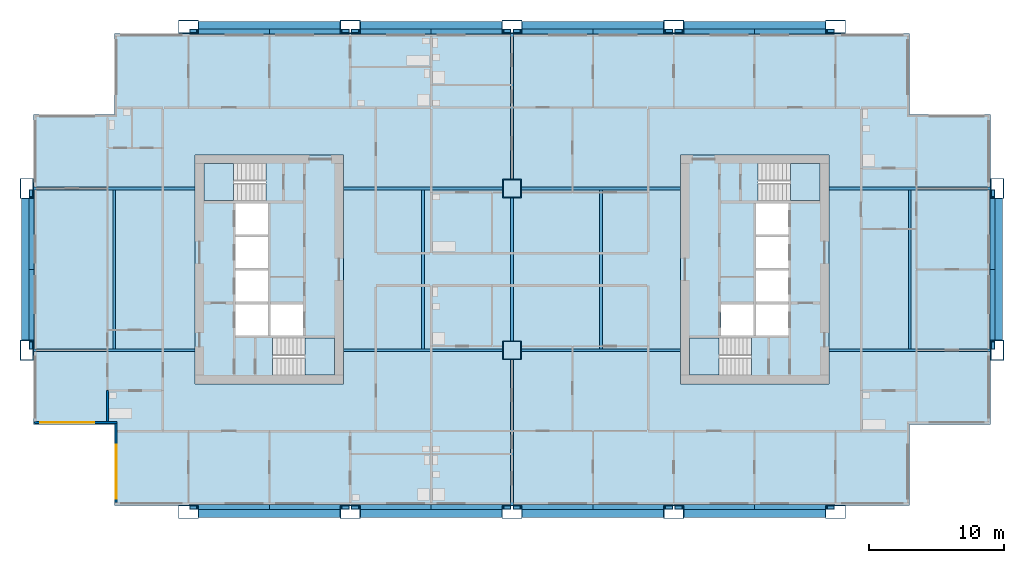
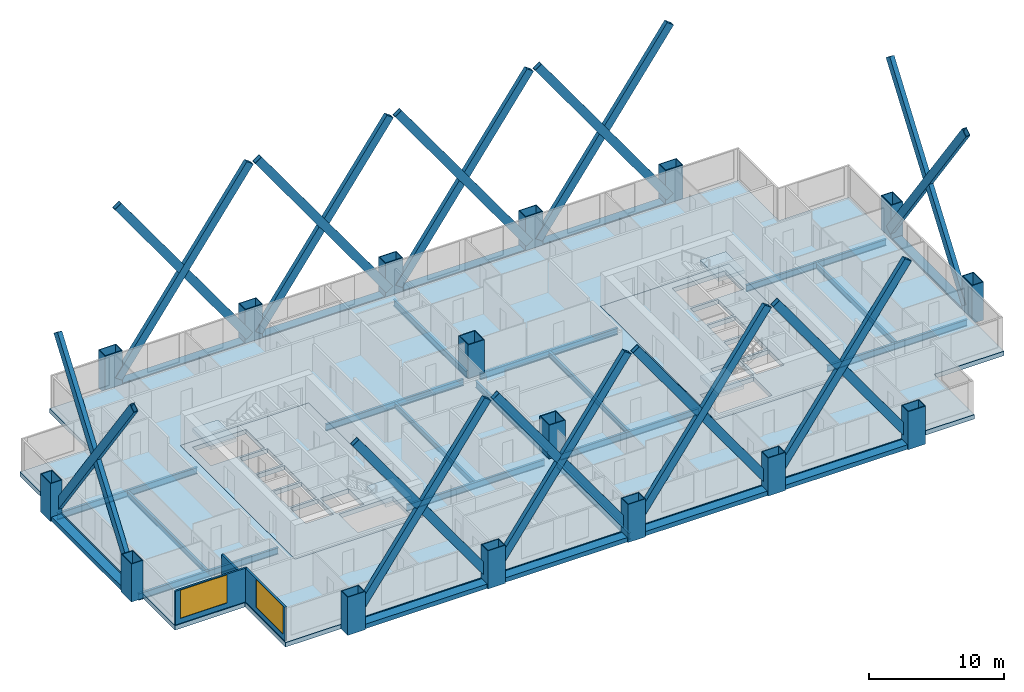
# One storey, part 1 of 11: 25 beams, 20 members, 16 columns, 7 slabs, 3 walls, 2 windows, 2 openings, 4 elements without a shape of their own.
"""IFC4 building model written with IfcOpenShell, lengths in metres."""

from ifc_helpers import new_model, si_unit, direction, frame, frame_2d, origin, origin_2d, place, context, subcontext, project, spatial, polyline, rectangle, hollow_rectangle, i_section, outline, extrude, material, layer, layer_set, material_profile, profile_set, type_object, element, fill, aggregate, save


model = new_model("IFC4")

# Units and contexts
model_context = context("Model", 3, precision=1e-05, world=origin(), true_north=direction((0.0, 1.0)))
body_context = subcontext(model_context, "Body", "Model", "MODEL_VIEW")
ifc_project = project(units=[si_unit("LENGTHUNIT", "METRE"), si_unit("AREAUNIT", "SQUARE_METRE"), si_unit("VOLUMEUNIT", "CUBIC_METRE"), si_unit("PLANEANGLEUNIT", "RADIAN"), si_unit("MASSUNIT", "GRAM", prefix="KILO")], contexts=[model_context])

# Site, building, storey
site_placement = place(None, origin())
site = spatial("IfcSite", under=ifc_project, at=site_placement, CompositionType="ELEMENT")
building_placement = place(site_placement, origin())
building = spatial("IfcBuilding", under=site, at=building_placement, Name="Kitamizu Gate Tower and Museum", CompositionType="ELEMENT")
storey_placement = place(building_placement, frame((0.0, 0.0, 113.85009765625)))
storey = spatial("IfcBuildingStorey", under=building, at=storey_placement, Name="L29", CompositionType="ELEMENT", Elevation=113.85009765625)

# Columns
ifc_material_1 = material(Name="Steel SM490A bronze coated", Category="steel")
ifc_material_profile_1 = material_profile(ifc_material_1, hollow_rectangle(XDim=1.5, YDim=1.0, WallThickness=0.06005859375, at=origin_2d()), Name="BOX 1500x1000x60")
ifc_profile_set_1 = profile_set([ifc_material_profile_1], Name="Steel SM490A bronze coated")
column_type_1 = type_object("IfcColumnType", Name="Exoskeleton column XC4 BOX 1500x1000x60", PredefinedType="COLUMN", material=ifc_profile_set_1)
for number, where, z_axis, x_axis, name in (
    (1, (0.0, 24.0, -0.400146484375), (0.0, 0.0, 1.0), (0.0, 1.0, 0.0), "Column XC4 1C L29"),
    (2, (0.0, 36.0, -0.400146484375), (0.0, 0.0, 1.0), (0.0, 1.0, 0.0), "Column XC4 1D L29"),
    (3, (12.0, 12.0, -0.400146484375), (0.0, 0.0, 1.0), (1.0, 0.0, 0.0), "Column XC4 2B L29"),
    (4, (12.0, 48.0, -0.400146484375), (0.0, 0.0, 1.0), (1.0, 0.0, 0.0), "Column XC4 2E L29"),
    (5, (24.0, 12.0, -0.400146484375), (0.0, 0.0, 1.0), (1.0, 0.0, 0.0), "Column XC4 3B L29"),
    (6, (24.0, 48.0, -0.400146484375), (0.0, 0.0, 1.0), (1.0, 0.0, 0.0), "Column XC4 3E L29"),
    (7, (36.0, 12.0, -0.400146484375), (0.0, 0.0, 1.0), (1.0, 0.0, 0.0), "Column XC4 4B L29"),
    (8, (36.0, 48.0, -0.400146484375), (0.0, 0.0, 1.0), (1.0, 0.0, 0.0), "Column XC4 4E L29"),
    (9, (48.0, 12.0, -0.400146484375), (0.0, 0.0, 1.0), (1.0, 0.0, 0.0), "Column XC4 5B L29"),
    (10, (48.0, 48.0, -0.400146484375), (0.0, 0.0, 1.0), (1.0, 0.0, 0.0), "Column XC4 5E L29"),
    (11, (60.0, 12.0, -0.400146484375), (0.0, 0.0, 1.0), (1.0, 0.0, 0.0), "Column XC4 6B L29"),
    (12, (60.0, 48.0, -0.400146484375), (0.0, 0.0, 1.0), (1.0, 0.0, 0.0), "Column XC4 6E L29"),
    (13, (72.0, 24.0, -0.400146484375), (0.0, 0.0, 1.0), (0.0, 1.0, 0.0), "Column XC4 7C L29"),
    (14, (72.0, 36.0, -0.400146484375), (0.0, 0.0, 1.0), (0.0, 1.0, 0.0), "Column XC4 7D L29"),
):
    element("IfcColumn", number, at=place(storey_placement, frame(where, z_axis=z_axis, x_axis=x_axis)), inside=storey, type_object=column_type_1, Name=name, PredefinedType="COLUMN", context=body_context, shape_type="SweptSolid", body=[
        extrude(hollow_rectangle(XDim=1.5, YDim=1.0, WallThickness=0.06005859375, at=origin_2d()), origin(), (0.0, 0.0, 1.0), 3.449951171875),
    ])
ifc_material_2 = material(Name="Steel SM490A", Category="steel")
ifc_material_profile_2 = material_profile(ifc_material_2, hollow_rectangle(XDim=1.39990234375, YDim=1.39990234375, WallThickness=0.06005859375, at=origin_2d()), Name="BOX 1400x1400x60")
ifc_profile_set_2 = profile_set([ifc_material_profile_2], Name="Steel SM490A")
column_type_2 = type_object("IfcColumnType", Name="Interior column IC3 BOX 1400x1400x60", PredefinedType="COLUMN", material=ifc_profile_set_2)
for number, where, z_axis, x_axis, name in (
    (15, (36.0, 24.0, 0.0), (0.0, 0.0, 1.0), (1.0, 0.0, 0.0), "Column IC3 4C L29"),
    (16, (36.0, 36.0, 0.0), (0.0, 0.0, 1.0), (1.0, 0.0, 0.0), "Column IC3 4D L29"),
):
    element("IfcColumn", number, at=place(storey_placement, frame(where, z_axis=z_axis, x_axis=x_axis)), inside=storey, type_object=column_type_2, Name=name, PredefinedType="COLUMN", context=body_context, shape_type="SweptSolid", body=[
        extrude(hollow_rectangle(XDim=1.39990234375, YDim=1.39990234375, WallThickness=0.06005859375, at=origin_2d()), origin(), (0.0, 0.0, 1.0), 3.0498046875),
    ])

# Members
ifc_material_3 = material(Name="Steel SM490A bronze coated", Category="steel")
ifc_material_profile_3 = material_profile(ifc_material_3, hollow_rectangle(XDim=0.3798828125, YDim=0.699951171875, WallThickness=0.035888671875, at=origin_2d()), Name="BOX 380x700x36")
ifc_profile_set_3 = profile_set([ifc_material_profile_3], Name="Steel SM490A bronze coated")
member_type = type_object("IfcMemberType", Name="Exoskeleton brace XB5 BOX 380x700x36", PredefinedType="BRACE", material=ifc_profile_set_3)
for number, where, z_axis, x_axis, name in (
    (17, (12.39990234375, 12.360107421875, 0.599853515625), (0.583685898597, 0.0, 0.811979539015), (0.0, 1.0, 0.0), "Exoskeleton brace XB5 south 12 L29"),
    (18, (23.60009765625, 12.360107421875, 0.599853515625), (-0.583685898597, 0.0, 0.811979539015), (0.0, -1.0, 0.0), "Exoskeleton brace XB5 south 12 L29"),
    (19, (24.39990234375, 12.360107421875, 0.599853515625), (0.583685898597, 0.0, 0.811979539015), (0.0, 1.0, 0.0), "Exoskeleton brace XB5 south 24 L29"),
    (20, (35.60009765625, 12.360107421875, 0.599853515625), (-0.583685898597, 0.0, 0.811979539015), (0.0, -1.0, 0.0), "Exoskeleton brace XB5 south 24 L29"),
    (21, (36.39990234375, 12.360107421875, 0.599853515625), (0.583685898597, 0.0, 0.811979539015), (0.0, 1.0, 0.0), "Exoskeleton brace XB5 south 36 L29"),
    (22, (47.60009765625, 12.360107421875, 0.599853515625), (-0.583685898597, 0.0, 0.811979539015), (0.0, -1.0, 0.0), "Exoskeleton brace XB5 south 36 L29"),
    (23, (48.39990234375, 12.360107421875, 0.599853515625), (0.583685898597, 0.0, 0.811979539015), (0.0, 1.0, 0.0), "Exoskeleton brace XB5 south 48 L29"),
    (24, (59.60009765625, 12.360107421875, 0.599853515625), (-0.583685898597, 0.0, 0.811979539015), (0.0, -1.0, 0.0), "Exoskeleton brace XB5 south 48 L29"),
    (25, (12.39990234375, 47.639892578125, 0.599853515625), (0.583685898597, 0.0, 0.811979539015), (0.0, 1.0, 0.0), "Exoskeleton brace XB5 north 12 L29"),
    (26, (23.60009765625, 47.639892578125, 0.599853515625), (-0.583685898597, 0.0, 0.811979539015), (0.0, -1.0, 0.0), "Exoskeleton brace XB5 north 12 L29"),
    (27, (24.39990234375, 47.639892578125, 0.599853515625), (0.583685898597, 0.0, 0.811979539015), (0.0, 1.0, 0.0), "Exoskeleton brace XB5 north 24 L29"),
    (28, (35.60009765625, 47.639892578125, 0.599853515625), (-0.583685898597, 0.0, 0.811979539015), (0.0, -1.0, 0.0), "Exoskeleton brace XB5 north 24 L29"),
    (29, (36.39990234375, 47.639892578125, 0.599853515625), (0.583685898597, 0.0, 0.811979539015), (0.0, 1.0, 0.0), "Exoskeleton brace XB5 north 36 L29"),
    (30, (47.60009765625, 47.639892578125, 0.599853515625), (-0.583685898597, 0.0, 0.811979539015), (0.0, -1.0, 0.0), "Exoskeleton brace XB5 north 36 L29"),
    (31, (48.39990234375, 47.639892578125, 0.599853515625), (0.583685898597, 0.0, 0.811979539015), (0.0, 1.0, 0.0), "Exoskeleton brace XB5 north 48 L29"),
    (32, (59.60009765625, 47.639892578125, 0.599853515625), (-0.583685898597, 0.0, 0.811979539015), (0.0, -1.0, 0.0), "Exoskeleton brace XB5 north 48 L29"),
    (33, (0.360107421875, 24.39990234375, 0.599853515625), (0.0, 0.583685898597, 0.811979539015), (-1.0, 0.0, 0.0), "Exoskeleton brace XB5 west 24 L29"),
    (34, (0.360107421875, 35.60009765625, 0.599853515625), (0.0, -0.583685898597, 0.811979539015), (1.0, 0.0, 0.0), "Exoskeleton brace XB5 west 24 L29"),
    (35, (71.639892578125, 24.39990234375, 0.599853515625), (0.0, 0.583685898597, 0.811979539015), (-1.0, 0.0, 0.0), "Exoskeleton brace XB5 east 24 L29"),
    (36, (71.639892578125, 35.60009765625, 0.599853515625), (0.0, -0.583685898597, 0.811979539015), (1.0, 0.0, 0.0), "Exoskeleton brace XB5 east 24 L29"),
):
    element("IfcMember", number, at=place(storey_placement, frame(where, z_axis=z_axis, x_axis=x_axis)), inside=storey, type_object=member_type, Name=name, PredefinedType="BRACE", context=body_context, shape_type="SweptSolid", body=[
        extrude(hollow_rectangle(XDim=0.3798828125, YDim=0.699951171875, WallThickness=0.035888671875, at=origin_2d()), origin(), (0.0, 0.0, 1.0), 19.274169921875),
    ])

# Beams
ifc_material_4 = material(Name="Steel SM490A bronze coated", Category="steel")
ifc_material_profile_4 = material_profile(ifc_material_4, hollow_rectangle(XDim=0.800048828125, YDim=0.39990234375, WallThickness=0.0400390625, at=origin_2d()), Name="BOX 800x400x40")
ifc_profile_set_4 = profile_set([ifc_material_profile_4], Name="Steel SM490A bronze coated")
beam_type_1 = type_object("IfcBeamType", Name="Exoskeleton spandrel beam SB1 BOX 800x400x40", PredefinedType="SPANDREL", material=ifc_profile_set_4)
for number, where, z_axis, x_axis, name in (
    (37, (12.75, 12.0, -0.2001953125), (1.0, 0.0, 0.0), (0.0, 1.0, 0.0), "Exoskeleton spandrel beam south 12 L29"),
    (38, (24.75, 12.0, -0.2001953125), (1.0, 0.0, 0.0), (0.0, 1.0, 0.0), "Exoskeleton spandrel beam south 24 L29"),
    (39, (36.75, 12.0, -0.2001953125), (1.0, 0.0, 0.0), (0.0, 1.0, 0.0), "Exoskeleton spandrel beam south 36 L29"),
    (40, (48.75, 12.0, -0.2001953125), (1.0, 0.0, 0.0), (0.0, 1.0, 0.0), "Exoskeleton spandrel beam south 48 L29"),
    (41, (12.75, 48.0, -0.2001953125), (1.0, 0.0, 0.0), (0.0, 1.0, 0.0), "Exoskeleton spandrel beam north 12 L29"),
    (42, (24.75, 48.0, -0.2001953125), (1.0, 0.0, 0.0), (0.0, 1.0, 0.0), "Exoskeleton spandrel beam north 24 L29"),
    (43, (36.75, 48.0, -0.2001953125), (1.0, 0.0, 0.0), (0.0, 1.0, 0.0), "Exoskeleton spandrel beam north 36 L29"),
    (44, (48.75, 48.0, -0.2001953125), (1.0, 0.0, 0.0), (0.0, 1.0, 0.0), "Exoskeleton spandrel beam north 48 L29"),
    (45, (0.0, 24.75, -0.2001953125), (0.0, 1.0, 0.0), (-1.0, 0.0, 0.0), "Exoskeleton spandrel beam west 24 L29"),
    (46, (72.0, 24.75, -0.2001953125), (0.0, 1.0, 0.0), (-1.0, 0.0, 0.0), "Exoskeleton spandrel beam east 24 L29"),
):
    element("IfcBeam", number, at=place(storey_placement, frame(where, z_axis=z_axis, x_axis=x_axis)), inside=storey, type_object=beam_type_1, Name=name, PredefinedType="SPANDREL", context=body_context, shape_type="SweptSolid", body=[
        extrude(hollow_rectangle(XDim=0.800048828125, YDim=0.39990234375, WallThickness=0.0400390625, at=origin_2d()), origin(), (0.0, 0.0, 1.0), 10.5),
    ])
ifc_material_5 = material(Name="Steel SM490A", Category="steel")
ifc_material_profile_5 = material_profile(ifc_material_5, i_section(OverallWidth=0.199951171875, OverallDepth=0.5, WebThickness=0.010009765625, FlangeThickness=0.01611328125, FilletRadius=0.02001953125, at=origin_2d()), Name="H-500x200x10x16")
ifc_profile_set_5 = profile_set([ifc_material_profile_5], Name="Steel SM490A")
beam_type_2 = type_object("IfcBeamType", Name="Floor beam FB1 H 500x200x10x16", PredefinedType="BEAM", material=ifc_profile_set_5)
for number, where, z_axis, x_axis, name in (
    (47, (6.5, 24.10009765625, -0.650146484375), (0.0, 1.0, 0.0), (-1.0, 0.0, 0.0), "Floor beam FB1 L29-1"),
    (48, (29.39990234375, 24.10009765625, -0.650146484375), (0.0, 1.0, 0.0), (-1.0, 0.0, 0.0), "Floor beam FB1 L29-2"),
    (49, (42.60009765625, 24.10009765625, -0.650146484375), (0.0, 1.0, 0.0), (-1.0, 0.0, 0.0), "Floor beam FB1 L29-3"),
    (50, (65.5, 24.10009765625, -0.650146484375), (0.0, 1.0, 0.0), (-1.0, 0.0, 0.0), "Floor beam FB1 L29-4"),
):
    element("IfcBeam", number, at=place(storey_placement, frame(where, z_axis=z_axis, x_axis=x_axis)), inside=storey, type_object=beam_type_2, Name=name, PredefinedType="BEAM", context=body_context, shape_type="SweptSolid", body=[
        extrude(i_section(OverallWidth=0.199951171875, OverallDepth=0.5, WebThickness=0.010009765625, FlangeThickness=0.01611328125, FilletRadius=0.02001953125, at=origin_2d()), origin(), (0.0, 0.0, 1.0), 11.7998046875),
    ])
ifc_material_6 = material(Name="Steel SM490A", Category="steel")
ifc_material_profile_6 = material_profile(ifc_material_6, i_section(OverallWidth=0.199951171875, OverallDepth=0.60009765625, WebThickness=0.010986328125, FlangeThickness=0.01708984375, FilletRadius=0.02197265625, at=origin_2d()), Name="H-600x200x11x17")
ifc_profile_set_6 = profile_set([ifc_material_profile_6], Name="Steel SM490A")
beam_type_3 = type_object("IfcBeamType", Name="Floor girder FG1 H 600x200x11x17", PredefinedType="BEAM", material=ifc_profile_set_6)
beam_1_placement = place(storey_placement, frame((36.0, 12.5, -0.7001953125), z_axis=(0.0, 1.0, 0.0), x_axis=(-1.0, 0.0, 0.0)))
element("IfcBeam", 51, at=beam_1_placement, inside=storey, type_object=beam_type_3, Name="Floor girder FG1 x36 L29", PredefinedType="BEAM", context=body_context, shape_type="SweptSolid", body=[
    extrude(i_section(OverallWidth=0.199951171875, OverallDepth=0.60009765625, WebThickness=0.010986328125, FlangeThickness=0.01708984375, FilletRadius=0.02197265625, at=origin_2d()), origin(), (0.0, 0.0, 1.0), 10.800048828125),
])
beam_2_placement = place(storey_placement, frame((36.0, 24.699951171875, -0.7001953125), z_axis=(0.0, 1.0, 0.0), x_axis=(-1.0, 0.0, 0.0)))
element("IfcBeam", 52, at=beam_2_placement, inside=storey, type_object=beam_type_3, Name="Floor girder FG1 x36 L29", PredefinedType="BEAM", context=body_context, shape_type="SweptSolid", body=[
    extrude(i_section(OverallWidth=0.199951171875, OverallDepth=0.60009765625, WebThickness=0.010986328125, FlangeThickness=0.01708984375, FilletRadius=0.02197265625, at=origin_2d()), origin(), (0.0, 0.0, 1.0), 10.60009765625),
])
beam_3_placement = place(storey_placement, frame((36.0, 36.699951171875, -0.7001953125), z_axis=(0.0, 1.0, 0.0), x_axis=(-1.0, 0.0, 0.0)))
element("IfcBeam", 53, at=beam_3_placement, inside=storey, type_object=beam_type_3, Name="Floor girder FG1 x36 L29", PredefinedType="BEAM", context=body_context, shape_type="SweptSolid", body=[
    extrude(i_section(OverallWidth=0.199951171875, OverallDepth=0.60009765625, WebThickness=0.010986328125, FlangeThickness=0.01708984375, FilletRadius=0.02197265625, at=origin_2d()), origin(), (0.0, 0.0, 1.0), 10.800048828125),
])
beam_4_placement = place(storey_placement, frame((0.5, 24.0, -0.7001953125), z_axis=(1.0, 0.0, 0.0), x_axis=(0.0, 1.0, 0.0)))
element("IfcBeam", 54, at=beam_4_placement, inside=storey, type_object=beam_type_3, Name="Floor girder FG1 y24 L29", PredefinedType="BEAM", context=body_context, shape_type="SweptSolid", body=[
    extrude(i_section(OverallWidth=0.199951171875, OverallDepth=0.60009765625, WebThickness=0.010986328125, FlangeThickness=0.01708984375, FilletRadius=0.02197265625, at=origin_2d()), origin(), (0.0, 0.0, 1.0), 12.0),
])
for number, where, z_axis, x_axis, name in (
    (55, (23.5, 24.0, -0.7001953125), (1.0, 0.0, 0.0), (0.0, 1.0, 0.0), "Floor girder FG1 y24 L29"),
    (56, (36.699951171875, 24.0, -0.7001953125), (1.0, 0.0, 0.0), (0.0, 1.0, 0.0), "Floor girder FG1 y24 L29"),
):
    element("IfcBeam", number, at=place(storey_placement, frame(where, z_axis=z_axis, x_axis=x_axis)), inside=storey, type_object=beam_type_3, Name=name, PredefinedType="BEAM", context=body_context, shape_type="SweptSolid", body=[
        extrude(i_section(OverallWidth=0.199951171875, OverallDepth=0.60009765625, WebThickness=0.010986328125, FlangeThickness=0.01708984375, FilletRadius=0.02197265625, at=origin_2d()), origin(), (0.0, 0.0, 1.0), 11.800048828125),
    ])
for number, where, z_axis, x_axis, name in (
    (57, (59.5, 24.0, -0.7001953125), (1.0, 0.0, 0.0), (0.0, 1.0, 0.0), "Floor girder FG1 y24 L29"),
    (58, (0.5, 36.0, -0.7001953125), (1.0, 0.0, 0.0), (0.0, 1.0, 0.0), "Floor girder FG1 y36 L29"),
):
    element("IfcBeam", number, at=place(storey_placement, frame(where, z_axis=z_axis, x_axis=x_axis)), inside=storey, type_object=beam_type_3, Name=name, PredefinedType="BEAM", context=body_context, shape_type="SweptSolid", body=[
        extrude(i_section(OverallWidth=0.199951171875, OverallDepth=0.60009765625, WebThickness=0.010986328125, FlangeThickness=0.01708984375, FilletRadius=0.02197265625, at=origin_2d()), origin(), (0.0, 0.0, 1.0), 12.0),
    ])
for number, where, z_axis, x_axis, name in (
    (59, (23.5, 36.0, -0.7001953125), (1.0, 0.0, 0.0), (0.0, 1.0, 0.0), "Floor girder FG1 y36 L29"),
    (60, (36.699951171875, 36.0, -0.7001953125), (1.0, 0.0, 0.0), (0.0, 1.0, 0.0), "Floor girder FG1 y36 L29"),
):
    element("IfcBeam", number, at=place(storey_placement, frame(where, z_axis=z_axis, x_axis=x_axis)), inside=storey, type_object=beam_type_3, Name=name, PredefinedType="BEAM", context=body_context, shape_type="SweptSolid", body=[
        extrude(i_section(OverallWidth=0.199951171875, OverallDepth=0.60009765625, WebThickness=0.010986328125, FlangeThickness=0.01708984375, FilletRadius=0.02197265625, at=origin_2d()), origin(), (0.0, 0.0, 1.0), 11.800048828125),
    ])
beam_5_placement = place(storey_placement, frame((59.5, 36.0, -0.7001953125), z_axis=(1.0, 0.0, 0.0), x_axis=(0.0, 1.0, 0.0)))
element("IfcBeam", 61, at=beam_5_placement, inside=storey, type_object=beam_type_3, Name="Floor girder FG1 y36 L29", PredefinedType="BEAM", context=body_context, shape_type="SweptSolid", body=[
    extrude(i_section(OverallWidth=0.199951171875, OverallDepth=0.60009765625, WebThickness=0.010986328125, FlangeThickness=0.01708984375, FilletRadius=0.02197265625, at=origin_2d()), origin(), (0.0, 0.0, 1.0), 12.0),
])

# Slabs
ifc_material_7 = material(Name="Concrete Fc36", Category="concrete")
ifc_layer_1 = layer(ifc_material_7, 0.39990234375)
ifc_layer_set_1 = layer_set([ifc_layer_1], Name="Concrete Fc36")
slab_type_1 = type_object("IfcSlabType", Name="Core floor slab 400", PredefinedType="FLOOR", material=ifc_layer_set_1)
slab_1_placement = place(storey_placement, frame((0.0, 0.0, -0.400146484375)))
element("IfcSlab", 62, at=slab_1_placement, inside=storey, type_object=slab_type_1, Name="Core floor slab W", PredefinedType="FLOOR", context=body_context, shape_type="SweptSolid", body=[
    extrude(outline(polyline([(12.5, 21.5), (23.5, 21.5), (23.5, 38.5), (12.5, 38.5), (12.5, 21.5)]), holes=[polyline([(15.5, 25.10009765625), (17.89990234375, 25.10009765625), (17.89990234375, 27.39990234375), (15.5, 27.39990234375), (15.5, 25.10009765625)]), polyline([(15.5, 27.60009765625), (17.89990234375, 27.60009765625), (17.89990234375, 29.89990234375), (15.5, 29.89990234375), (15.5, 27.60009765625)]), polyline([(15.5, 30.10009765625), (17.89990234375, 30.10009765625), (17.89990234375, 32.39990234375), (15.5, 32.39990234375), (15.5, 30.10009765625)]), polyline([(15.5, 32.60009765625), (17.89990234375, 32.60009765625), (17.89990234375, 34.89990234375), (15.5, 34.89990234375), (15.5, 32.60009765625)]), polyline([(18.10009765625, 25.10009765625), (20.5, 25.10009765625), (20.5, 27.39990234375), (18.10009765625, 27.39990234375), (18.10009765625, 25.10009765625)]), polyline([(18.25048828125, 22.14990234375), (22.85009765625, 22.14990234375), (22.85009765625, 24.89990234375), (18.25048828125, 24.89990234375), (18.25048828125, 22.14990234375)]), polyline([(13.14990234375, 35.10009765625), (17.74951171875, 35.10009765625), (17.74951171875, 37.85009765625), (13.14990234375, 37.85009765625), (13.14990234375, 35.10009765625)])]), origin(), (0.0, 0.0, 1.0), 0.400146484375),
])
slab_2_placement = place(storey_placement, frame((0.0, 0.0, -0.400146484375)))
element("IfcSlab", 63, at=slab_2_placement, inside=storey, type_object=slab_type_1, Name="Core floor slab E", PredefinedType="FLOOR", context=body_context, shape_type="SweptSolid", body=[
    extrude(outline(polyline([(48.5, 21.5), (59.5, 21.5), (59.5, 38.5), (48.5, 38.5), (48.5, 21.5)]), holes=[polyline([(54.10009765625, 25.10009765625), (56.5, 25.10009765625), (56.5, 27.39990234375), (54.10009765625, 27.39990234375), (54.10009765625, 25.10009765625)]), polyline([(54.10009765625, 27.60009765625), (56.5, 27.60009765625), (56.5, 29.89990234375), (54.10009765625, 29.89990234375), (54.10009765625, 27.60009765625)]), polyline([(54.10009765625, 30.10009765625), (56.5, 30.10009765625), (56.5, 32.39990234375), (54.10009765625, 32.39990234375), (54.10009765625, 30.10009765625)]), polyline([(54.10009765625, 32.60009765625), (56.5, 32.60009765625), (56.5, 34.89990234375), (54.10009765625, 34.89990234375), (54.10009765625, 32.60009765625)]), polyline([(51.5, 25.10009765625), (53.89990234375, 25.10009765625), (53.89990234375, 27.39990234375), (51.5, 27.39990234375), (51.5, 25.10009765625)]), polyline([(49.14990234375, 22.14990234375), (53.74951171875, 22.14990234375), (53.74951171875, 24.89990234375), (49.14990234375, 24.89990234375), (49.14990234375, 22.14990234375)]), polyline([(54.25048828125, 35.10009765625), (58.85009765625, 35.10009765625), (58.85009765625, 37.85009765625), (54.25048828125, 37.85009765625), (54.25048828125, 35.10009765625)])]), origin(), (0.0, 0.0, 1.0), 0.400146484375),
])
ifc_material_8 = material(Name="Concrete Fc36", Category="concrete")
ifc_layer_2 = layer(ifc_material_8, 0.39990234375)
ifc_layer_set_2 = layer_set([ifc_layer_2], Name="Concrete Fc36")
slab_type_2 = type_object("IfcSlabType", Name="Post tensioned flat slab 400", PredefinedType="FLOOR", material=ifc_layer_set_2)
slab_3_placement = place(storey_placement, frame((0.0, 0.0, -0.400146484375)))
element("IfcSlab", 64, at=slab_3_placement, inside=storey, type_object=slab_type_2, Name="Floor slab L29-1", PredefinedType="FLOOR", context=body_context, shape_type="SweptSolid", body=[
    extrude(outline(polyline([(0.5, 18.5), (0.5, 41.5), (6.5, 41.5), (6.5, 47.5), (65.5, 47.5), (65.5, 41.5), (71.5, 41.5), (71.5, 18.5), (65.5, 18.5), (65.5, 12.5), (6.5, 12.5), (6.5, 18.5), (0.5, 18.5)]), holes=[polyline([(59.5, 38.5), (48.5, 38.5), (48.5, 21.5), (59.5, 21.5), (59.5, 38.5)]), polyline([(12.5, 38.5), (12.5, 21.5), (23.5, 21.5), (23.5, 38.5), (12.5, 38.5)])]), origin(), (0.0, 0.0, 1.0), 0.400146484375),
])

# Stair, slab
ifc_material_9 = material(Name="Concrete Fc42", Category="concrete")
stair_type = type_object("IfcStairType", Name="Exit stair 1275 wide 192 rise 300 going", PredefinedType="HALF_TURN_STAIR", material=ifc_material_9)
stair_1_placement = place(storey_placement, origin())
stair_1 = element("IfcStair", 65, at=stair_1_placement, inside=storey, type_object=stair_type, Name="Exit stair ST1", PredefinedType="HALF_TURN_STAIR")
ifc_material_10 = material(Name="Concrete Fc42", Category="concrete")
ifc_layer_3 = layer(ifc_material_10, 0.300048828125)
ifc_layer_set_3 = layer_set([ifc_layer_3], Name="Concrete Fc42")
slab_type_3 = type_object("IfcSlabType", Name="Stair landing 300", PredefinedType="LANDING", material=ifc_layer_set_3)
slab_4_placement = place(storey_placement, frame((0.0, 0.0, 1.4248046875)))
slab_4 = element("IfcSlab", 66, at=slab_4_placement, type_object=slab_type_3, Name="ST1 landing 1", PredefinedType="LANDING", context=body_context, shape_type="SweptSolid", body=[
    extrude(outline(polyline([(20.64990234375, 22.14990234375), (22.85009765625, 22.14990234375), (22.85009765625, 24.89990234375), (20.64990234375, 24.89990234375), (20.64990234375, 22.14990234375)])), origin(), (0.0, 0.0, 1.0), 0.300048828125),
])
aggregate(stair_1, [slab_4])

stair_2_placement = place(storey_placement, origin())
stair_2 = element("IfcStair", 67, at=stair_2_placement, inside=storey, type_object=stair_type, Name="Exit stair ST2", PredefinedType="HALF_TURN_STAIR")
slab_5_placement = place(storey_placement, frame((0.0, 0.0, 1.4248046875)))
slab_5 = element("IfcSlab", 68, at=slab_5_placement, type_object=slab_type_3, Name="ST2 landing 1", PredefinedType="LANDING", context=body_context, shape_type="SweptSolid", body=[
    extrude(outline(polyline([(13.14990234375, 35.10009765625), (15.35009765625, 35.10009765625), (15.35009765625, 37.85009765625), (13.14990234375, 37.85009765625), (13.14990234375, 35.10009765625)])), origin(), (0.0, 0.0, 1.0), 0.300048828125),
])
aggregate(stair_2, [slab_5])

stair_3_placement = place(storey_placement, origin())
stair_3 = element("IfcStair", 69, at=stair_3_placement, inside=storey, type_object=stair_type, Name="Exit stair ST3", PredefinedType="HALF_TURN_STAIR")
slab_6_placement = place(storey_placement, frame((0.0, 0.0, 1.4248046875)))
slab_6 = element("IfcSlab", 70, at=slab_6_placement, type_object=slab_type_3, Name="ST3 landing 1", PredefinedType="LANDING", context=body_context, shape_type="SweptSolid", body=[
    extrude(outline(polyline([(49.14990234375, 22.14990234375), (51.35009765625, 22.14990234375), (51.35009765625, 24.89990234375), (49.14990234375, 24.89990234375), (49.14990234375, 22.14990234375)])), origin(), (0.0, 0.0, 1.0), 0.300048828125),
])
aggregate(stair_3, [slab_6])

stair_4_placement = place(storey_placement, origin())
stair_4 = element("IfcStair", 71, at=stair_4_placement, inside=storey, type_object=stair_type, Name="Exit stair ST4", PredefinedType="HALF_TURN_STAIR")
slab_7_placement = place(storey_placement, frame((0.0, 0.0, 1.4248046875)))
slab_7 = element("IfcSlab", 72, at=slab_7_placement, type_object=slab_type_3, Name="ST4 landing 1", PredefinedType="LANDING", context=body_context, shape_type="SweptSolid", body=[
    extrude(outline(polyline([(56.64990234375, 35.10009765625), (58.85009765625, 35.10009765625), (58.85009765625, 37.85009765625), (56.64990234375, 37.85009765625), (56.64990234375, 35.10009765625)])), origin(), (0.0, 0.0, 1.0), 0.300048828125),
])
aggregate(stair_4, [slab_7])

# Wall
ifc_material_11 = material(Name="Gypsum board on galvanised stud")
ifc_layer_4 = layer(ifc_material_11, 0.14990234375)
ifc_layer_set_4 = layer_set([ifc_layer_4], Name="Gypsum board on galvanised stud")
wall_type_1 = type_object("IfcWallType", Name="Partition 150", PredefinedType="PARTITIONING", material=ifc_layer_set_4)
wall_1_placement = place(storey_placement, frame((6.0, 18.719970703125, 0.0), z_axis=(0.0, 0.0, 1.0), x_axis=(0.0, 1.0, 0.0)))
element("IfcWall", 73, at=wall_1_placement, inside=storey, type_object=wall_type_1, Name="Partition L29-020", PredefinedType="PARTITIONING", context=body_context, shape_type="SweptSolid", body=[
    extrude(rectangle(XDim=2.280029296875, YDim=0.14990234375, at=frame_2d((1.14013671875, 0.0))), origin(), (0.0, 0.0, 1.0), 3.0498046875),
])

# Wall, opening, window
ifc_material_12 = material(Name="Bronze anodised aluminium frame with insulated spandrel and tinted glass", Category="aluminium")
ifc_layer_5 = layer(ifc_material_12, 0.14990234375)
ifc_layer_set_5 = layer_set([ifc_layer_5], Name="Bronze anodised aluminium frame with insulated spandrel and tinted glass")
wall_type_2 = type_object("IfcWallType", Name="WINDOW WALL 150 BRONZE FRAME EI 30", PredefinedType="ELEMENTEDWALL", material=ifc_layer_set_5)
wall_2_placement = place(storey_placement, frame((0.56005859375, 18.635009765625, 0.0), z_axis=(0.0, 0.0, 1.0), x_axis=(1.0, 0.0, 0.0)))
wall_2 = element("IfcWall", 74, at=wall_2_placement, inside=storey, type_object=wall_type_2, Name="Window wall south L29", PredefinedType="ELEMENTEDWALL", context=body_context, shape_type="SweptSolid", body=[
    extrude(rectangle(XDim=6.14990234375, YDim=0.14990234375, at=frame_2d((3.074951171875, 0.0))), origin(), (0.0, 0.0, 1.0), 3.0498046875),
])
opening_1_placement = place(wall_2_placement, frame((0.43994140625, 0.0, 0.449951171875)))
opening_1 = element("IfcOpeningElement", 75, at=opening_1_placement, cuts=wall_2, Name="Opening W16", PredefinedType="OPENING", context=body_context, shape_type="SweptSolid", body=[
    extrude(rectangle(XDim=4.0, YDim=2.550048828125, at=frame_2d((2.0, 1.27490234375))), frame((0.0, 0.0849609375, 0.0), z_axis=(0.0, -1.0, 0.0), x_axis=(1.0, 0.0, 0.0)), (0.0, 0.0, 1.0), 0.169921875),
])
ifc_material_13 = material(Name="Bronze anodised aluminium frame, tinted triple glazing", Category="aluminium")
window_type = type_object("IfcWindowType", Name="WINDOW 4000 x 2550 SILL 450", PartitioningType="SINGLE_PANEL", PredefinedType="WINDOW", material=ifc_material_13)
window_1_placement = place(opening_1_placement, origin())
window_1 = element("IfcWindow", 76, at=window_1_placement, inside=storey, type_object=window_type, Name="Window W16 L29", OverallHeight=2.550048828125, OverallWidth=4.0, PartitioningType="SINGLE_PANEL", PredefinedType="WINDOW", context=body_context, shape_type="SweptSolid", body=[
    extrude(rectangle(XDim=4.0, YDim=2.550048828125, at=frame_2d((2.0, 1.27490234375))), frame((0.0, 0.030029296875, 0.0), z_axis=(0.0, -1.0, 0.0), x_axis=(1.0, 0.0, 0.0)), (0.0, 0.0, 1.0), 0.06005859375),
])
fill(opening_1, window_1)

wall_3_placement = place(storey_placement, frame((6.635009765625, 12.7099609375, 0.0), z_axis=(0.0, 0.0, 1.0), x_axis=(0.0, 1.0, 0.0)))
wall_3 = element("IfcWall", 77, at=wall_3_placement, inside=storey, type_object=wall_type_2, Name="Window wall west L29", PredefinedType="ELEMENTEDWALL", context=body_context, shape_type="SweptSolid", body=[
    extrude(rectangle(XDim=5.85009765625, YDim=0.14990234375, at=frame_2d((2.925048828125, 0.0))), origin(), (0.0, 0.0, 1.0), 3.0498046875),
])
opening_2_placement = place(wall_3_placement, frame((0.2900390625, 0.0, 0.449951171875)))
opening_2 = element("IfcOpeningElement", 78, at=opening_2_placement, cuts=wall_3, Name="Opening W16", PredefinedType="OPENING", context=body_context, shape_type="SweptSolid", body=[
    extrude(rectangle(XDim=4.0, YDim=2.550048828125, at=frame_2d((2.0, 1.27490234375))), frame((0.0, 0.0849609375, 0.0), z_axis=(0.0, -1.0, 0.0), x_axis=(1.0, 0.0, 0.0)), (0.0, 0.0, 1.0), 0.169921875),
])
window_2_placement = place(opening_2_placement, origin())
window_2 = element("IfcWindow", 79, at=window_2_placement, inside=storey, type_object=window_type, Name="Window W16 L29", OverallHeight=2.550048828125, OverallWidth=4.0, PartitioningType="SINGLE_PANEL", PredefinedType="WINDOW", context=body_context, shape_type="SweptSolid", body=[
    extrude(rectangle(XDim=4.0, YDim=2.550048828125, at=frame_2d((2.0, 1.27490234375))), frame((0.0, 0.030029296875, 0.0), z_axis=(0.0, -1.0, 0.0), x_axis=(1.0, 0.0, 0.0)), (0.0, 0.0, 1.0), 0.06005859375),
])
fill(opening_2, window_2)

save(model, "model.ifc")
